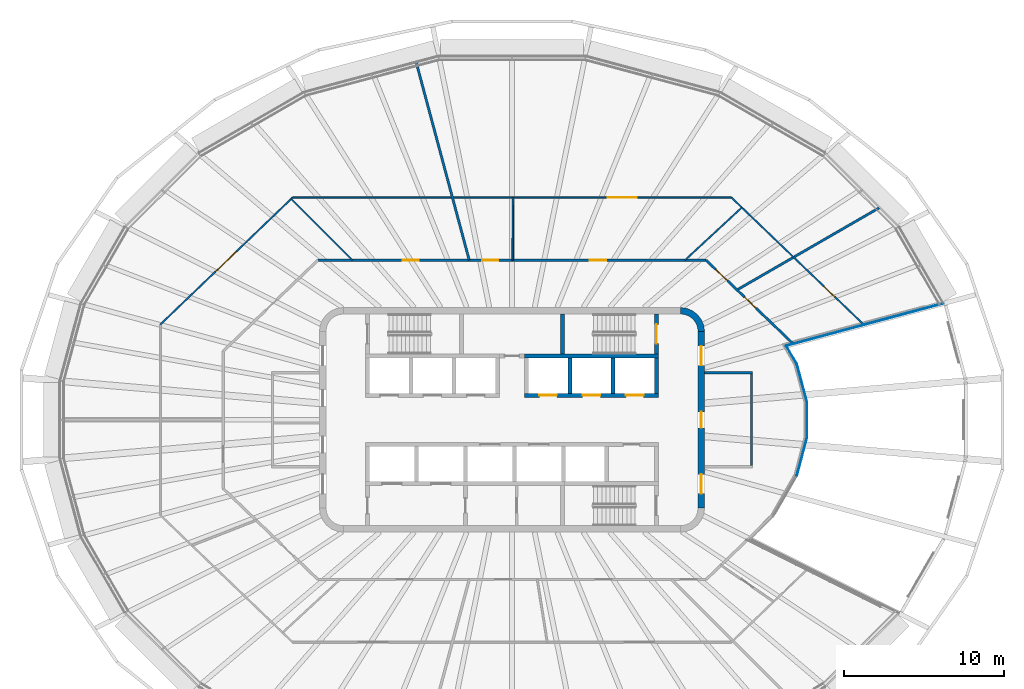
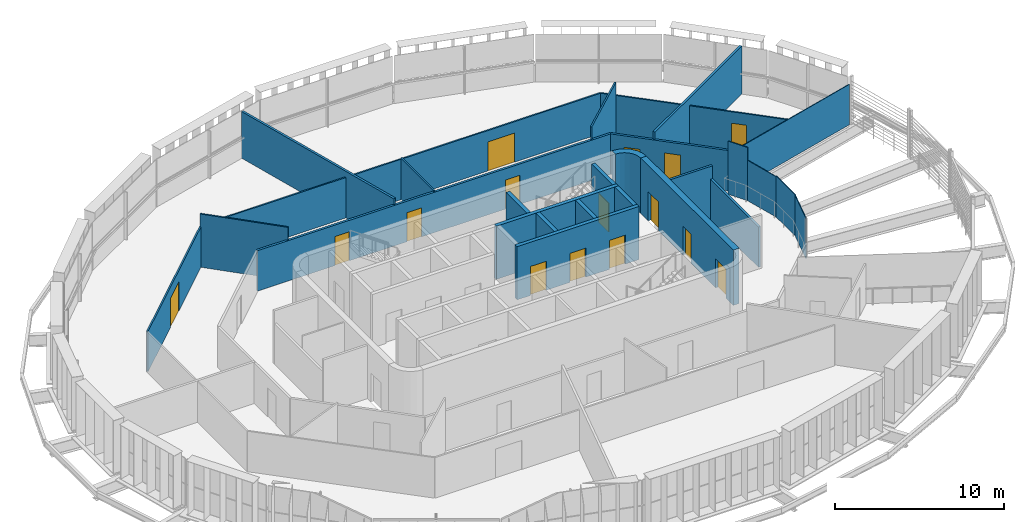
# One storey, part 10 of 17: 26 walls, 15 doors, 15 openings.
"""IFC4 building model written with IfcOpenShell, lengths in metres."""

from ifc_helpers import new_model, si_unit, direction, frame, frame_2d, origin, place, context, subcontext, project, spatial, polyline, rectangle, outline, extrude, material, layer, layer_set, type_object, element, fill, save


model = new_model("IFC4")

# Units and contexts
model_context = context("Model", 3, precision=1e-05, world=origin(), true_north=direction((0.0, 1.0)))
body_context = subcontext(model_context, "Body", "Model", "MODEL_VIEW")
ifc_project = project(units=[si_unit("LENGTHUNIT", "METRE"), si_unit("AREAUNIT", "SQUARE_METRE"), si_unit("VOLUMEUNIT", "CUBIC_METRE"), si_unit("PLANEANGLEUNIT", "RADIAN"), si_unit("MASSUNIT", "GRAM", prefix="KILO")], contexts=[model_context])

# Site, building, storey
site_placement = place(None, origin())
site = spatial("IfcSite", under=ifc_project, at=site_placement, CompositionType="ELEMENT")
building_placement = place(site_placement, origin())
building = spatial("IfcBuilding", under=site, at=building_placement, Name="Sahrelin Media Tower", CompositionType="ELEMENT")
storey_placement = place(building_placement, frame((0.0, 0.0, 291.0)))
storey = spatial("IfcBuildingStorey", under=building, at=storey_placement, Name="L64", CompositionType="ELEMENT", Elevation=291.0)

# Wall, openings, doors
ifc_material_1 = material(Name="Concrete C60/75", Category="concrete")
ifc_layer_1 = layer(ifc_material_1, 0.39990234375)
ifc_layer_set_1 = layer_set([ifc_layer_1], Name="Core wall 400")
wall_type_1 = type_object("IfcWallType", Name="Core wall 400", PredefinedType="SHEAR", material=ifc_layer_set_1)
wall_1_placement = place(storey_placement, frame((11.800048828125, -5.5, 0.0), z_axis=(0.0, 0.0, 1.0), x_axis=(0.0, 1.0, 0.0)))
wall_1 = element("IfcWall", 1, at=wall_1_placement, inside=storey, type_object=wall_type_1, Name="Core wall E L64", PredefinedType="SHEAR", context=body_context, shape_type="SweptSolid", body=[
    extrude(rectangle(XDim=11.0, YDim=0.39990234375, at=frame_2d((5.5, 0.0))), origin(), (0.0, 0.0, 1.0), 4.0),
])
opening_1_placement = place(wall_1_placement, frame((5.0, 0.0, 0.0)))
opening_1 = element("IfcOpeningElement", 2, at=opening_1_placement, cuts=wall_1, Name="Opening L64-D11", PredefinedType="OPENING", context=body_context, shape_type="SweptSolid", body=[
    extrude(rectangle(XDim=1.0, YDim=2.10009765625, at=frame_2d((0.5, 1.050048828125))), frame((0.0, 0.199951171875, 0.0), z_axis=(0.0, -1.0, 0.0), x_axis=(1.0, 0.0, 0.0)), (0.0, 0.0, 1.0), 0.39990234375),
])
opening_2_placement = place(wall_1_placement, frame((0.89990234375, 0.0, 0.0)))
opening_2 = element("IfcOpeningElement", 3, at=opening_2_placement, cuts=wall_1, Name="Opening L64-D14", PredefinedType="OPENING", context=body_context, shape_type="SweptSolid", body=[
    extrude(rectangle(XDim=1.199951171875, YDim=2.10009765625, at=frame_2d((0.60009765625, 1.050048828125))), frame((0.0, 0.199951171875, 0.0), z_axis=(0.0, -1.0, 0.0), x_axis=(1.0, 0.0, 0.0)), (0.0, 0.0, 1.0), 0.39990234375),
])
opening_3_placement = place(wall_1_placement, frame((8.89990234375, 0.0, 0.0)))
opening_3 = element("IfcOpeningElement", 4, at=opening_3_placement, cuts=wall_1, Name="Opening L64-D15", PredefinedType="OPENING", context=body_context, shape_type="SweptSolid", body=[
    extrude(rectangle(XDim=1.199951171875, YDim=2.10009765625, at=frame_2d((0.60009765625, 1.050048828125))), frame((0.0, 0.199951171875, 0.0), z_axis=(0.0, -1.0, 0.0), x_axis=(1.0, 0.0, 0.0)), (0.0, 0.0, 1.0), 0.39990234375),
])
ifc_material_2 = material(Name="Steel fire door leaf", Category="steel")
door_type_1 = type_object("IfcDoorType", Name="Fire door 1000 x 2100 EI 60", OperationType="NOTDEFINED", PredefinedType="DOOR", material=ifc_material_2)
door_1_placement = place(opening_1_placement, origin())
door_1 = element("IfcDoor", 5, at=door_1_placement, inside=storey, type_object=door_type_1, Name="Core room door", OperationType="SINGLE_SWING_RIGHT", OverallHeight=2.10009765625, OverallWidth=1.0, PredefinedType="DOOR", context=body_context, shape_type="SweptSolid", body=[
    extrude(rectangle(XDim=1.0, YDim=2.10009765625, at=frame_2d((0.5, 1.050048828125))), frame((0.0, 0.02490234375, 0.0), z_axis=(0.0, -1.0, 0.0), x_axis=(1.0, 0.0, 0.0)), (0.0, 0.0, 1.0), 0.050048828125),
])
fill(opening_1, door_1)
door_type_2 = type_object("IfcDoorType", Name="Lobby door 1200 x 2100 EI 60", OperationType="NOTDEFINED", PredefinedType="DOOR", material=ifc_material_2)
door_2_placement = place(opening_2_placement, origin())
door_2 = element("IfcDoor", 6, at=door_2_placement, inside=storey, type_object=door_type_2, Name="Lobby door", OperationType="SINGLE_SWING_LEFT", OverallHeight=2.10009765625, OverallWidth=1.199951171875, PredefinedType="DOOR", context=body_context, shape_type="SweptSolid", body=[
    extrude(rectangle(XDim=1.199951171875, YDim=2.10009765625, at=frame_2d((0.60009765625, 1.050048828125))), frame((0.0, 0.02490234375, 0.0), z_axis=(0.0, -1.0, 0.0), x_axis=(1.0, 0.0, 0.0)), (0.0, 0.0, 1.0), 0.050048828125),
])
fill(opening_2, door_2)
door_3_placement = place(opening_3_placement, origin())
door_3 = element("IfcDoor", 7, at=door_3_placement, inside=storey, type_object=door_type_2, Name="Lobby door", OperationType="SINGLE_SWING_LEFT", OverallHeight=2.10009765625, OverallWidth=1.199951171875, PredefinedType="DOOR", context=body_context, shape_type="SweptSolid", body=[
    extrude(rectangle(XDim=1.199951171875, YDim=2.10009765625, at=frame_2d((0.60009765625, 1.050048828125))), frame((0.0, 0.02490234375, 0.0), z_axis=(0.0, -1.0, 0.0), x_axis=(1.0, 0.0, 0.0)), (0.0, 0.0, 1.0), 0.050048828125),
])
fill(opening_3, door_3)

# Walls
wall_2_placement = place(storey_placement, origin())
element("IfcWall", 8, at=wall_2_placement, inside=storey, type_object=wall_type_1, Name="Core wall corner NE L64", PredefinedType="SHEAR", context=body_context, shape_type="SweptSolid", body=[
    extrude(outline(polyline([(10.5, 7.0), (10.5, 6.596435546875), (10.78369140625, 6.55908203125), (11.04833984375, 6.44970703125), (11.275390625, 6.275390625), (11.44970703125, 6.04833984375), (11.55908203125, 5.78369140625), (11.596435546875, 5.5), (12.0, 5.5), (11.948974609375, 5.88818359375), (11.799072265625, 6.25), (11.560791015625, 6.560791015625), (11.25, 6.799072265625), (10.88818359375, 6.948974609375), (10.5, 7.0)])), origin(), (0.0, 0.0, 1.0), 4.0),
])
ifc_material_3 = material(Name="Fire-rated gypsum board partition")
ifc_layer_2 = layer(ifc_material_3, 0.14990234375)
ifc_layer_set_2 = layer_set([ifc_layer_2], Name="Fire-rated partition 150")
wall_type_2 = type_object("IfcWallType", Name="Fire-rated partition 150", PredefinedType="PARTITIONING", material=ifc_layer_set_2)
wall_3_placement = place(storey_placement, frame((14.925048828125, -2.85009765625, 0.0), z_axis=(0.0, 0.0, 1.0), x_axis=(0.0, 1.0, 0.0)))
element("IfcWall", 9, at=wall_3_placement, inside=storey, type_object=wall_type_2, Name="Core room fire partition", PredefinedType="PARTITIONING", context=body_context, shape_type="SweptSolid", body=[
    extrude(rectangle(XDim=5.7001953125, YDim=0.14990234375, at=frame_2d((2.85009765625, 0.0))), origin(), (0.0, 0.0, 1.0), 2.927001953125),
])
wall_4_placement = place(storey_placement, frame((12.0, 2.925048828125, 0.0), z_axis=(0.0, 0.0, 1.0), x_axis=(1.0, 0.0, 0.0)))
element("IfcWall", 10, at=wall_4_placement, inside=storey, type_object=wall_type_2, Name="Core room fire partition", PredefinedType="PARTITIONING", context=body_context, shape_type="SweptSolid", body=[
    extrude(rectangle(XDim=3.0, YDim=0.14990234375, at=frame_2d((1.5, 0.0))), origin(), (0.0, 0.0, 1.0), 3.85009765625),
])
wall_5_placement = place(storey_placement, frame((-5.97412109375, 22.2958984375, 0.0), z_axis=(0.0, 0.0, 1.0), x_axis=(0.258823917952, -0.9659245206, 0.0)))
element("IfcWall", 11, at=wall_5_placement, inside=storey, type_object=wall_type_2, Name="Wall", PredefinedType="PARTITIONING", context=body_context, shape_type="SweptSolid", body=[
    extrude(rectangle(XDim=12.7822265625, YDim=0.14990234375, at=frame_2d((6.39111328125, 0.0))), origin(), (0.0, 0.0, 1.0), 3.373046875),
])

# Wall, openings, doors
wall_6_placement = place(storey_placement, frame((12.094970703125, 9.948974609375, 0.0), z_axis=(0.0, 0.0, 1.0), x_axis=(0.721298611825, -0.692624221767, 0.0)))
wall_6 = element("IfcWall", 12, at=wall_6_placement, inside=storey, type_object=wall_type_2, Name="Wall", PredefinedType="PARTITIONING", context=body_context, shape_type="SweptSolid", body=[
    extrude(rectangle(XDim=7.53515625, YDim=0.14990234375, at=frame_2d((3.767578125, 0.0))), origin(), (0.0, 0.0, 1.0), 2.927001953125),
])
opening_4_placement = place(wall_6_placement, frame((3.3173828125, 0.0, 0.0)))
opening_4 = element("IfcOpeningElement", 13, at=opening_4_placement, cuts=wall_6, Name="Opening L64-D16", PredefinedType="OPENING", context=body_context, shape_type="SweptSolid", body=[
    extrude(rectangle(XDim=1.0, YDim=2.10009765625, at=frame_2d((0.5, 1.050048828125))), frame((0.0, 0.074951171875, 0.0), z_axis=(0.0, -1.0, 0.0), x_axis=(1.0, 0.0, 0.0)), (0.0, 0.0, 1.0), 0.14990234375),
])
opening_5_placement = place(wall_6_placement, frame((0.83837890625, 0.0, 0.0)))
opening_5 = element("IfcOpeningElement", 14, at=opening_5_placement, cuts=wall_6, Name="Opening L64-D21", PredefinedType="OPENING", context=body_context, shape_type="SweptSolid", body=[
    extrude(rectangle(XDim=1.0, YDim=2.10009765625, at=frame_2d((0.5, 1.050048828125))), frame((0.0, 0.074951171875, 0.0), z_axis=(0.0, -1.0, 0.0), x_axis=(1.0, 0.0, 0.0)), (0.0, 0.0, 1.0), 0.14990234375),
])
door_4_placement = place(opening_4_placement, origin())
door_4 = element("IfcDoor", 15, at=door_4_placement, inside=storey, type_object=door_type_1, Name="Fire door", OperationType="SINGLE_SWING_RIGHT", OverallHeight=2.10009765625, OverallWidth=1.0, PredefinedType="DOOR", context=body_context, shape_type="SweptSolid", body=[
    extrude(rectangle(XDim=1.0, YDim=2.10009765625, at=frame_2d((0.5, 1.050048828125))), frame((0.0, 0.02490234375, 0.0), z_axis=(0.0, -1.0, 0.0), x_axis=(1.0, 0.0, 0.0)), (0.0, 0.0, 1.0), 0.050048828125),
])
fill(opening_4, door_4)
door_5_placement = place(opening_5_placement, origin())
door_5 = element("IfcDoor", 16, at=door_5_placement, inside=storey, type_object=door_type_1, Name="Fire door", OperationType="SINGLE_SWING_LEFT", OverallHeight=2.10009765625, OverallWidth=1.0, PredefinedType="DOOR", context=body_context, shape_type="SweptSolid", body=[
    extrude(rectangle(XDim=1.0, YDim=2.10009765625, at=frame_2d((0.5, 1.050048828125))), frame((0.0, 0.02490234375, 0.0), z_axis=(0.0, -1.0, 0.0), x_axis=(1.0, 0.0, 0.0)), (0.0, 0.0, 1.0), 0.050048828125),
])
fill(opening_5, door_5)

wall_7_placement = place(storey_placement, frame((-12.094970703125, 9.948974609375, 0.0), z_axis=(0.0, 0.0, 1.0), x_axis=(1.0, 0.0, 0.0)))
wall_7 = element("IfcWall", 17, at=wall_7_placement, inside=storey, type_object=wall_type_2, Name="Wall", PredefinedType="PARTITIONING", context=body_context, shape_type="SweptSolid", body=[
    extrude(rectangle(XDim=24.18994140625, YDim=0.14990234375, at=frame_2d((12.094970703125, 0.0))), origin(), (0.0, 0.0, 1.0), 2.927001953125),
])
opening_6_placement = place(wall_7_placement, frame((16.955322265625, 0.0, 0.0)))
opening_6 = element("IfcOpeningElement", 18, at=opening_6_placement, cuts=wall_7, Name="Opening L64-D22", PredefinedType="OPENING", context=body_context, shape_type="SweptSolid", body=[
    extrude(rectangle(XDim=1.0, YDim=2.10009765625, at=frame_2d((0.5, 1.050048828125))), frame((0.0, 0.074951171875, 0.0), z_axis=(0.0, -1.0, 0.0), x_axis=(1.0, 0.0, 0.0)), (0.0, 0.0, 1.0), 0.14990234375),
])
opening_7_placement = place(wall_7_placement, frame((10.23291015625, 0.0, 0.0)))
opening_7 = element("IfcOpeningElement", 19, at=opening_7_placement, cuts=wall_7, Name="Opening L64-D23", PredefinedType="OPENING", context=body_context, shape_type="SweptSolid", body=[
    extrude(rectangle(XDim=1.0, YDim=2.10009765625, at=frame_2d((0.5, 1.050048828125))), frame((0.0, 0.074951171875, 0.0), z_axis=(0.0, -1.0, 0.0), x_axis=(1.0, 0.0, 0.0)), (0.0, 0.0, 1.0), 0.14990234375),
])
opening_8_placement = place(wall_7_placement, frame((5.28759765625, 0.0, 0.0)))
opening_8 = element("IfcOpeningElement", 20, at=opening_8_placement, cuts=wall_7, Name="Opening L64-D25", PredefinedType="OPENING", context=body_context, shape_type="SweptSolid", body=[
    extrude(rectangle(XDim=1.0, YDim=2.10009765625, at=frame_2d((0.5, 1.050048828125))), frame((0.0, 0.074951171875, 0.0), z_axis=(0.0, -1.0, 0.0), x_axis=(1.0, 0.0, 0.0)), (0.0, 0.0, 1.0), 0.14990234375),
])
door_6_placement = place(opening_6_placement, origin())
door_6 = element("IfcDoor", 21, at=door_6_placement, inside=storey, type_object=door_type_1, Name="Fire door", OperationType="SINGLE_SWING_RIGHT", OverallHeight=2.10009765625, OverallWidth=1.0, PredefinedType="DOOR", context=body_context, shape_type="SweptSolid", body=[
    extrude(rectangle(XDim=1.0, YDim=2.10009765625, at=frame_2d((0.5, 1.050048828125))), frame((0.0, 0.02490234375, 0.0), z_axis=(0.0, -1.0, 0.0), x_axis=(1.0, 0.0, 0.0)), (0.0, 0.0, 1.0), 0.050048828125),
])
fill(opening_6, door_6)
door_7_placement = place(opening_7_placement, origin())
door_7 = element("IfcDoor", 22, at=door_7_placement, inside=storey, type_object=door_type_1, Name="Fire door", OperationType="SINGLE_SWING_RIGHT", OverallHeight=2.10009765625, OverallWidth=1.0, PredefinedType="DOOR", context=body_context, shape_type="SweptSolid", body=[
    extrude(rectangle(XDim=1.0, YDim=2.10009765625, at=frame_2d((0.5, 1.050048828125))), frame((0.0, 0.02490234375, 0.0), z_axis=(0.0, -1.0, 0.0), x_axis=(1.0, 0.0, 0.0)), (0.0, 0.0, 1.0), 0.050048828125),
])
fill(opening_7, door_7)
door_8_placement = place(opening_8_placement, origin())
door_8 = element("IfcDoor", 23, at=door_8_placement, inside=storey, type_object=door_type_1, Name="Fire door", OperationType="SINGLE_SWING_LEFT", OverallHeight=2.10009765625, OverallWidth=1.0, PredefinedType="DOOR", context=body_context, shape_type="SweptSolid", body=[
    extrude(rectangle(XDim=1.0, YDim=2.10009765625, at=frame_2d((0.5, 1.050048828125))), frame((0.0, 0.02490234375, 0.0), z_axis=(0.0, -1.0, 0.0), x_axis=(1.0, 0.0, 0.0)), (0.0, 0.0, 1.0), 0.050048828125),
])
fill(opening_8, door_8)

# Walls
wall_8_placement = place(storey_placement, frame((14.02392578125, 8.096923828125, 0.0), z_axis=(0.0, 0.0, 1.0), x_axis=(0.866016773465, 0.500014947853, 0.0)))
element("IfcWall", 24, at=wall_8_placement, inside=storey, type_object=wall_type_2, Name="Wall", PredefinedType="PARTITIONING", context=body_context, shape_type="SweptSolid", body=[
    extrude(rectangle(XDim=10.283935546875, YDim=0.14990234375, at=frame_2d((5.14208984375, 0.0))), origin(), (0.0, 0.0, 1.0), 3.47509765625),
])
ifc_material_4 = material(Name="Clear glass", Category="glass")
ifc_layer_3 = layer(ifc_material_4, 0.050048828125)
ifc_layer_set_3 = layer_set([ifc_layer_3], Name="Glazed partition 50")
wall_type_3 = type_object("IfcWallType", Name="Glazed partition 50", PredefinedType="PARTITIONING", material=ifc_layer_set_3)
wall_9_placement = place(storey_placement, frame((17.751953125, 3.471923828125, 0.0), z_axis=(0.0, 0.0, 1.0), x_axis=(0.25856355568, -0.965994248261, 0.0)))
element("IfcWall", 25, at=wall_9_placement, inside=storey, type_object=wall_type_3, Name="Wall", PredefinedType="PARTITIONING", context=body_context, shape_type="SweptSolid", body=[
    extrude(rectangle(XDim=2.428466796875, YDim=0.050048828125, at=frame_2d((1.21435546875, 0.0))), origin(), (0.0, 0.0, 1.0), 2.927001953125),
])
wall_10_placement = place(storey_placement, frame((17.093017578125, 4.612060546875, 0.0), z_axis=(0.0, 0.0, 1.0), x_axis=(0.500385702012, -0.865802604074, 0.0)))
element("IfcWall", 26, at=wall_10_placement, inside=storey, type_object=wall_type_3, Name="Wall", PredefinedType="PARTITIONING", context=body_context, shape_type="SweptSolid", body=[
    extrude(rectangle(XDim=1.31689453125, YDim=0.050048828125, at=frame_2d((0.658447265625, 0.0))), origin(), (0.0, 0.0, 1.0), 3.85009765625),
])
wall_11_placement = place(storey_placement, frame((17.093017578125, 4.612060546875, 0.0), z_axis=(0.0, 0.0, 1.0), x_axis=(0.965452161302, 0.26058036042, 0.0)))
element("IfcWall", 27, at=wall_11_placement, inside=storey, type_object=wall_type_3, Name="Wall", PredefinedType="PARTITIONING", context=body_context, shape_type="SweptSolid", body=[
    extrude(rectangle(XDim=10.14111328125, YDim=0.050048828125, at=frame_2d((5.070556640625, 0.0))), origin(), (0.0, 0.0, 1.0), 2.927001953125),
])
wall_12_placement = place(storey_placement, frame((17.752197265625, -3.471923828125, 0.0), z_axis=(0.0, 0.0, 1.0), x_axis=(0.25856355568, 0.965994248261, 0.0)))
element("IfcWall", 28, at=wall_12_placement, inside=storey, type_object=wall_type_3, Name="Wall", PredefinedType="PARTITIONING", context=body_context, shape_type="SweptSolid", body=[
    extrude(rectangle(XDim=2.428466796875, YDim=0.050048828125, at=frame_2d((1.21435546875, 0.0))), origin(), (0.0, 0.0, 1.0), 2.927001953125),
])
wall_13_placement = place(storey_placement, frame((18.3798828125, -1.1259765625, 0.0), z_axis=(0.0, 0.0, 1.0), x_axis=(0.0, 1.0, 0.0)))
element("IfcWall", 29, at=wall_13_placement, inside=storey, type_object=wall_type_3, Name="Wall", PredefinedType="PARTITIONING", context=body_context, shape_type="SweptSolid", body=[
    extrude(rectangle(XDim=2.251953125, YDim=0.050048828125, at=frame_2d((1.1259765625, 0.0))), origin(), (0.0, 0.0, 1.0), 2.9951171875),
])

# Wall, openings, doors
ifc_layer_4 = layer(ifc_material_1, 0.25)
ifc_layer_set_4 = layer_set([ifc_layer_4], Name="Lift shaft wall 250")
wall_type_4 = type_object("IfcWallType", Name="Lift shaft wall 250", PredefinedType="SOLIDWALL", material=ifc_layer_set_4)
wall_14_placement = place(storey_placement, frame((0.77490234375, 1.52490234375, 0.0), z_axis=(0.0, 0.0, 1.0), x_axis=(1.0, 0.0, 0.0)))
wall_14 = element("IfcWall", 30, at=wall_14_placement, inside=storey, type_object=wall_type_4, Name="Lift shaft wall", PredefinedType="SOLIDWALL", context=body_context, shape_type="SweptSolid", body=[
    extrude(rectangle(XDim=8.35009765625, YDim=0.25, at=frame_2d((4.175048828125, 0.0))), origin(), (0.0, 0.0, 1.0), 3.85009765625),
])
opening_9_placement = place(wall_14_placement, frame((0.925048828125, 0.0, 0.0)))
opening_9 = element("IfcOpeningElement", 31, at=opening_9_placement, cuts=wall_14, Name="Opening L64-LD-HR4", PredefinedType="OPENING", context=body_context, shape_type="SweptSolid", body=[
    extrude(rectangle(XDim=1.10009765625, YDim=2.10009765625, at=frame_2d((0.550048828125, 1.050048828125))), frame((0.0, 0.125, 0.0), z_axis=(0.0, -1.0, 0.0), x_axis=(1.0, 0.0, 0.0)), (0.0, 0.0, 1.0), 0.25),
])
opening_10_placement = place(wall_14_placement, frame((3.625, 0.0, 0.0)))
opening_10 = element("IfcOpeningElement", 32, at=opening_10_placement, cuts=wall_14, Name="Opening L64-LD-HR5", PredefinedType="OPENING", context=body_context, shape_type="SweptSolid", body=[
    extrude(rectangle(XDim=1.10009765625, YDim=2.10009765625, at=frame_2d((0.550048828125, 1.050048828125))), frame((0.0, 0.125, 0.0), z_axis=(0.0, -1.0, 0.0), x_axis=(1.0, 0.0, 0.0)), (0.0, 0.0, 1.0), 0.25),
])
opening_11_placement = place(wall_14_placement, frame((6.324951171875, 0.0, 0.0)))
opening_11 = element("IfcOpeningElement", 33, at=opening_11_placement, cuts=wall_14, Name="Opening L64-LD-HR6", PredefinedType="OPENING", context=body_context, shape_type="SweptSolid", body=[
    extrude(rectangle(XDim=1.10009765625, YDim=2.10009765625, at=frame_2d((0.550048828125, 1.050048828125))), frame((0.0, 0.125, 0.0), z_axis=(0.0, -1.0, 0.0), x_axis=(1.0, 0.0, 0.0)), (0.0, 0.0, 1.0), 0.25),
])
ifc_material_5 = material(Name="Stainless steel", Category="steel")
door_type_3 = type_object("IfcDoorType", Name="Lift landing door 1100 x 2100 EI 120", OperationType="DOUBLE_DOOR_SLIDING", PredefinedType="DOOR", material=ifc_material_5)
door_9_placement = place(opening_9_placement, origin())
door_9 = element("IfcDoor", 34, at=door_9_placement, inside=storey, type_object=door_type_3, Name="Lift landing door HR4", OperationType="DOUBLE_DOOR_SLIDING", OverallHeight=2.10009765625, OverallWidth=1.10009765625, PredefinedType="DOOR", context=body_context, shape_type="SweptSolid", body=[
    extrude(rectangle(XDim=1.10009765625, YDim=2.10009765625, at=frame_2d((0.550048828125, 1.050048828125))), frame((0.0, 0.02490234375, 0.0), z_axis=(0.0, -1.0, 0.0), x_axis=(1.0, 0.0, 0.0)), (0.0, 0.0, 1.0), 0.050048828125),
])
fill(opening_9, door_9)
door_10_placement = place(opening_10_placement, origin())
door_10 = element("IfcDoor", 35, at=door_10_placement, inside=storey, type_object=door_type_3, Name="Lift landing door HR5", OperationType="DOUBLE_DOOR_SLIDING", OverallHeight=2.10009765625, OverallWidth=1.10009765625, PredefinedType="DOOR", context=body_context, shape_type="SweptSolid", body=[
    extrude(rectangle(XDim=1.10009765625, YDim=2.10009765625, at=frame_2d((0.550048828125, 1.050048828125))), frame((0.0, 0.02490234375, 0.0), z_axis=(0.0, -1.0, 0.0), x_axis=(1.0, 0.0, 0.0)), (0.0, 0.0, 1.0), 0.050048828125),
])
fill(opening_10, door_10)
door_11_placement = place(opening_11_placement, origin())
door_11 = element("IfcDoor", 36, at=door_11_placement, inside=storey, type_object=door_type_3, Name="Lift landing door HR6", OperationType="DOUBLE_DOOR_SLIDING", OverallHeight=2.10009765625, OverallWidth=1.10009765625, PredefinedType="DOOR", context=body_context, shape_type="SweptSolid", body=[
    extrude(rectangle(XDim=1.10009765625, YDim=2.10009765625, at=frame_2d((0.550048828125, 1.050048828125))), frame((0.0, 0.02490234375, 0.0), z_axis=(0.0, -1.0, 0.0), x_axis=(1.0, 0.0, 0.0)), (0.0, 0.0, 1.0), 0.050048828125),
])
fill(opening_11, door_11)

# Walls
wall_15_placement = place(storey_placement, frame((0.77490234375, 3.97509765625, 0.0), z_axis=(0.0, 0.0, 1.0), x_axis=(1.0, 0.0, 0.0)))
element("IfcWall", 37, at=wall_15_placement, inside=storey, type_object=wall_type_4, Name="Lift shaft wall", PredefinedType="SOLIDWALL", context=body_context, shape_type="SweptSolid", body=[
    extrude(rectangle(XDim=8.35009765625, YDim=0.25, at=frame_2d((4.175048828125, 0.0))), origin(), (0.0, 0.0, 1.0), 3.85009765625),
])
for number, where, z_axis, x_axis, name in (
    (38, (9.0, 1.64990234375, 0.0), (0.0, 0.0, 1.0), (0.0, 1.0, 0.0), "Lift shaft wall"),
    (39, (6.300048828125, 1.64990234375, 0.0), (0.0, 0.0, 1.0), (0.0, 1.0, 0.0), "Lift shaft wall"),
    (40, (3.60009765625, 1.64990234375, 0.0), (0.0, 0.0, 1.0), (0.0, 1.0, 0.0), "Lift shaft wall"),
):
    element("IfcWall", number, at=place(storey_placement, frame(where, z_axis=z_axis, x_axis=x_axis)), inside=storey, type_object=wall_type_4, Name=name, PredefinedType="SOLIDWALL", context=body_context, shape_type="SweptSolid", body=[
        extrude(rectangle(XDim=2.2001953125, YDim=0.25, at=frame_2d((1.10009765625, 0.0))), origin(), (0.0, 0.0, 1.0), 3.85009765625),
    ])
ifc_material_6 = material(Name="Gypsum board partition")
ifc_layer_5 = layer(ifc_material_6, 0.10009765625)
ifc_layer_set_5 = layer_set([ifc_layer_5], Name="Partition 100")
wall_type_5 = type_object("IfcWallType", Name="Partition 100", PredefinedType="PARTITIONING", material=ifc_layer_set_5)
wall_16_placement = place(storey_placement, frame((-13.76611328125, 13.764892578125, 0.0), z_axis=(0.0, 0.0, 1.0), x_axis=(0.707219854948, -0.70699368934, 0.0)))
element("IfcWall", 41, at=wall_16_placement, inside=storey, type_object=wall_type_5, Name="Wall", PredefinedType="PARTITIONING", context=body_context, shape_type="SweptSolid", body=[
    extrude(rectangle(XDim=5.3974609375, YDim=0.10009765625, at=frame_2d((2.69873046875, 0.0))), origin(), (0.0, 0.0, 1.0), 3.85009765625),
])

# Wall, opening, door
wall_17_placement = place(storey_placement, frame((13.66796875, 13.85888671875, 0.0), z_axis=(0.0, 0.0, 1.0), x_axis=(0.72121152344, -0.692714904169, 0.0)))
wall_17 = element("IfcWall", 42, at=wall_17_placement, inside=storey, type_object=wall_type_5, Name="Wall", PredefinedType="PARTITIONING", context=body_context, shape_type="SweptSolid", body=[
    extrude(rectangle(XDim=11.463134765625, YDim=0.10009765625, at=frame_2d((5.7314453125, 0.0))), origin(), (0.0, 0.0, 1.0), 2.927001953125),
])
opening_12_placement = place(wall_17_placement, frame((8.02490234375, 0.0, 0.0)))
opening_12 = element("IfcOpeningElement", 43, at=opening_12_placement, cuts=wall_17, Name="Opening L64-D17", PredefinedType="OPENING", context=body_context, shape_type="SweptSolid", body=[
    extrude(rectangle(XDim=0.89990234375, YDim=2.10009765625, at=frame_2d((0.449951171875, 1.050048828125))), frame((0.0, 0.050048828125, 0.0), z_axis=(0.0, -1.0, 0.0), x_axis=(1.0, 0.0, 0.0)), (0.0, 0.0, 1.0), 0.10009765625),
])
ifc_material_7 = material(Name="Timber door leaf", Category="wood")
door_type_4 = type_object("IfcDoorType", Name="Single door 900 x 2100", OperationType="NOTDEFINED", PredefinedType="DOOR", material=ifc_material_7)
door_12_placement = place(opening_12_placement, origin())
door_12 = element("IfcDoor", 44, at=door_12_placement, inside=storey, type_object=door_type_4, Name="Single door", OperationType="SINGLE_SWING_RIGHT", OverallHeight=2.10009765625, OverallWidth=0.89990234375, PredefinedType="DOOR", context=body_context, shape_type="SweptSolid", body=[
    extrude(rectangle(XDim=0.89990234375, YDim=2.10009765625, at=frame_2d((0.449951171875, 1.050048828125))), frame((0.0, 0.02490234375, 0.0), z_axis=(0.0, -1.0, 0.0), x_axis=(1.0, 0.0, 0.0)), (0.0, 0.0, 1.0), 0.050048828125),
])
fill(opening_12, door_12)

wall_18_placement = place(storey_placement, frame((-13.66796875, 13.85888671875, 0.0), z_axis=(0.0, 0.0, 1.0), x_axis=(1.0, 0.0, 0.0)))
wall_18 = element("IfcWall", 45, at=wall_18_placement, inside=storey, type_object=wall_type_5, Name="Wall", PredefinedType="PARTITIONING", context=body_context, shape_type="SweptSolid", body=[
    extrude(rectangle(XDim=27.3359375, YDim=0.10009765625, at=frame_2d((13.66796875, 0.0))), origin(), (0.0, 0.0, 1.0), 2.927001953125),
])
opening_13_placement = place(wall_18_placement, frame((19.632568359375, 0.0, 0.0)))
opening_13 = element("IfcOpeningElement", 46, at=opening_13_placement, cuts=wall_18, Name="Opening L64-D24", PredefinedType="OPENING", context=body_context, shape_type="SweptSolid", body=[
    extrude(rectangle(XDim=1.800048828125, YDim=2.10009765625, at=frame_2d((0.89990234375, 1.050048828125))), frame((0.0, 0.050048828125, 0.0), z_axis=(0.0, -1.0, 0.0), x_axis=(1.0, 0.0, 0.0)), (0.0, 0.0, 1.0), 0.10009765625),
])
door_type_5 = type_object("IfcDoorType", Name="Double door 1800 x 2100", OperationType="DOUBLE_DOOR_SINGLE_SWING", PredefinedType="DOOR", material=ifc_material_7)
door_13_placement = place(opening_13_placement, origin())
door_13 = element("IfcDoor", 47, at=door_13_placement, inside=storey, type_object=door_type_5, Name="Double door", OperationType="DOUBLE_DOOR_SINGLE_SWING", OverallHeight=2.10009765625, OverallWidth=1.800048828125, PredefinedType="DOOR", context=body_context, shape_type="SweptSolid", body=[
    extrude(rectangle(XDim=1.800048828125, YDim=2.10009765625, at=frame_2d((0.89990234375, 1.050048828125))), frame((0.0, 0.02490234375, 0.0), z_axis=(0.0, -1.0, 0.0), x_axis=(1.0, 0.0, 0.0)), (0.0, 0.0, 1.0), 0.050048828125),
])
fill(opening_13, door_13)

# Wall
wall_19_placement = place(storey_placement, frame((10.777099609375, 9.948974609375, 0.0), z_axis=(0.0, 0.0, 1.0), x_axis=(0.733892218001, 0.679265936403, 0.0)))
element("IfcWall", 48, at=wall_19_placement, inside=storey, type_object=wall_type_5, Name="Wall", PredefinedType="PARTITIONING", context=body_context, shape_type="SweptSolid", body=[
    extrude(rectangle(XDim=4.831298828125, YDim=0.10009765625, at=frame_2d((2.41552734375, 0.0))), origin(), (0.0, 0.0, 1.0), 3.85009765625),
])

# Wall, opening, door
wall_20_placement = place(storey_placement, frame((-21.909912109375, 5.944091796875, 0.0), z_axis=(0.0, 0.0, 1.0), x_axis=(0.721412510329, 0.692505588382, 0.0)))
wall_20 = element("IfcWall", 49, at=wall_20_placement, inside=storey, type_object=wall_type_5, Name="Wall", PredefinedType="PARTITIONING", context=body_context, shape_type="SweptSolid", body=[
    extrude(rectangle(XDim=11.427001953125, YDim=0.10009765625, at=frame_2d((5.71337890625, 0.0))), origin(), (0.0, 0.0, 1.0), 2.927001953125),
])
opening_14_placement = place(wall_20_placement, frame((4.75, 0.0, 0.0)))
opening_14 = element("IfcOpeningElement", 50, at=opening_14_placement, cuts=wall_20, Name="Opening L64-D27", PredefinedType="OPENING", context=body_context, shape_type="SweptSolid", body=[
    extrude(rectangle(XDim=1.800048828125, YDim=2.10009765625, at=frame_2d((0.89990234375, 1.050048828125))), frame((0.0, 0.050048828125, 0.0), z_axis=(0.0, -1.0, 0.0), x_axis=(1.0, 0.0, 0.0)), (0.0, 0.0, 1.0), 0.10009765625),
])
door_14_placement = place(opening_14_placement, origin())
door_14 = element("IfcDoor", 51, at=door_14_placement, inside=storey, type_object=door_type_5, Name="Double door", OperationType="DOUBLE_DOOR_SINGLE_SWING", OverallHeight=2.10009765625, OverallWidth=1.800048828125, PredefinedType="DOOR", context=body_context, shape_type="SweptSolid", body=[
    extrude(rectangle(XDim=1.800048828125, YDim=2.10009765625, at=frame_2d((0.89990234375, 1.050048828125))), frame((0.0, 0.02490234375, 0.0), z_axis=(0.0, -1.0, 0.0), x_axis=(1.0, 0.0, 0.0)), (0.0, 0.0, 1.0), 0.050048828125),
])
fill(opening_14, door_14)

# Wall
wall_21_placement = place(storey_placement, frame((0.0439453125, 9.948974609375, 0.0), z_axis=(0.0, 0.0, 1.0), x_axis=(0.004370860527, 0.999990447744, 0.0)))
element("IfcWall", 52, at=wall_21_placement, inside=storey, type_object=wall_type_5, Name="Wall", PredefinedType="PARTITIONING", context=body_context, shape_type="SweptSolid", body=[
    extrude(rectangle(XDim=3.909912109375, YDim=0.10009765625, at=frame_2d((1.955078125, 0.0))), origin(), (0.0, 0.0, 1.0), 2.9951171875),
])

# Wall, opening, door
ifc_layer_6 = layer(ifc_material_1, 0.25)
ifc_layer_set_6 = layer_set([ifc_layer_6], Name="Stair enclosure wall 250")
wall_type_6 = type_object("IfcWallType", Name="Stair enclosure wall 250", PredefinedType="SOLIDWALL", material=ifc_layer_set_6)
wall_22_placement = place(storey_placement, frame((9.0, 4.10009765625, 0.0), z_axis=(0.0, 0.0, 1.0), x_axis=(0.0, 1.0, 0.0)))
wall_22 = element("IfcWall", 53, at=wall_22_placement, inside=storey, type_object=wall_type_6, Name="Stair enclosure wall", PredefinedType="SOLIDWALL", context=body_context, shape_type="SweptSolid", body=[
    extrude(rectangle(XDim=2.5, YDim=0.25, at=frame_2d((1.25, 0.0))), origin(), (0.0, 0.0, 1.0), 3.85009765625),
])
opening_15_placement = place(wall_22_placement, frame((0.64990234375, 0.0, 0.0)))
opening_15 = element("IfcOpeningElement", 54, at=opening_15_placement, cuts=wall_22, Name="Opening L64-D02", PredefinedType="OPENING", context=body_context, shape_type="SweptSolid", body=[
    extrude(rectangle(XDim=1.199951171875, YDim=2.10009765625, at=frame_2d((0.60009765625, 1.050048828125))), frame((0.0, 0.125, 0.0), z_axis=(0.0, -1.0, 0.0), x_axis=(1.0, 0.0, 0.0)), (0.0, 0.0, 1.0), 0.25),
])
door_type_6 = type_object("IfcDoorType", Name="Stair door 1200 x 2100 EI 120", OperationType="NOTDEFINED", PredefinedType="DOOR", material=ifc_material_2)
door_15_placement = place(opening_15_placement, origin())
door_15 = element("IfcDoor", 55, at=door_15_placement, inside=storey, type_object=door_type_6, Name="Stair door ST3", OperationType="SINGLE_SWING_LEFT", OverallHeight=2.10009765625, OverallWidth=1.199951171875, PredefinedType="DOOR", context=body_context, shape_type="SweptSolid", body=[
    extrude(rectangle(XDim=1.199951171875, YDim=2.10009765625, at=frame_2d((0.60009765625, 1.050048828125))), frame((0.0, 0.02490234375, 0.0), z_axis=(0.0, -1.0, 0.0), x_axis=(1.0, 0.0, 0.0)), (0.0, 0.0, 1.0), 0.050048828125),
])
fill(opening_15, door_15)

# Wall
wall_23_placement = place(storey_placement, frame((3.14990234375, 4.10009765625, 0.0), z_axis=(0.0, 0.0, 1.0), x_axis=(0.0, 1.0, 0.0)))
element("IfcWall", 56, at=wall_23_placement, inside=storey, type_object=wall_type_6, Name="Stair enclosure wall", PredefinedType="SOLIDWALL", context=body_context, shape_type="SweptSolid", body=[
    extrude(rectangle(XDim=2.5, YDim=0.25, at=frame_2d((1.25, 0.0))), origin(), (0.0, 0.0, 1.0), 3.85009765625),
])

save(model, "model.ifc")
